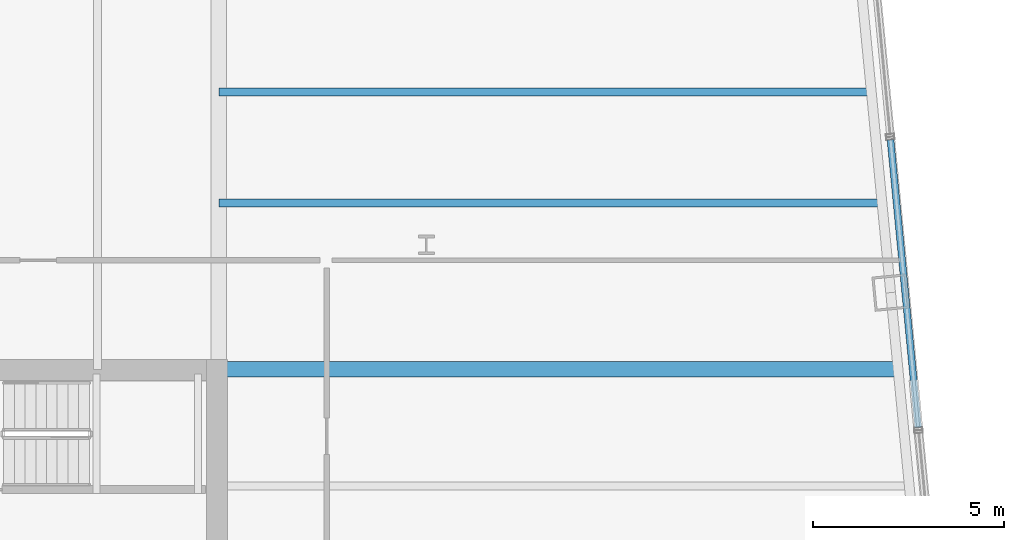
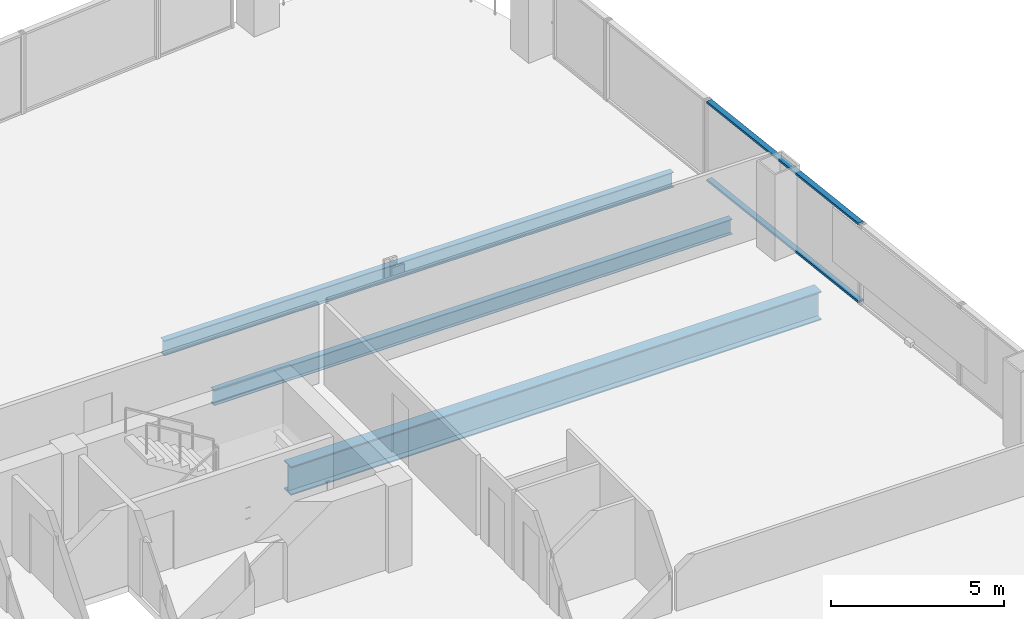
# One storey, part 18 of 27: 3 beams, 2 members, 1 element without a shape of its own.
"""IFC4 building model written with IfcOpenShell, lengths in metres."""

from ifc_helpers import new_model, si_unit, direction, frame, origin, origin_2d, place, context, subcontext, project, spatial, hollow_rectangle, i_section, extrude, material, layer, layer_set, material_profile, profile_set, type_object, element, aggregate, save


model = new_model("IFC4")

# Units and contexts
model_context = context("Model", 3, precision=1e-05, world=origin(), true_north=direction((0.0, 1.0)))
body_context = subcontext(model_context, "Body", "Model", "MODEL_VIEW")
ifc_project = project(units=[si_unit("LENGTHUNIT", "METRE"), si_unit("AREAUNIT", "SQUARE_METRE"), si_unit("VOLUMEUNIT", "CUBIC_METRE"), si_unit("PLANEANGLEUNIT", "RADIAN"), si_unit("MASSUNIT", "GRAM", prefix="KILO")], contexts=[model_context])

# Site, building, storey
site_placement = place(None, origin())
site = spatial("IfcSite", under=ifc_project, at=site_placement, CompositionType="ELEMENT")
building_placement = place(site_placement, origin())
building = spatial("IfcBuilding", under=site, at=building_placement, Name="Qhalaya Broadcast Tower", CompositionType="ELEMENT")
storey_placement = place(building_placement, frame((0.0, 0.0, 75.550048828125)))
storey = spatial("IfcBuildingStorey", under=building, at=storey_placement, Name="L21", CompositionType="ELEMENT", Elevation=75.550048828125)

# Beams
ifc_material_1 = material(Name="Structural Steel ASTM A992 Grade 50", Category="steel")
ifc_material_profile_1 = material_profile(ifc_material_1, i_section(OverallWidth=0.2099609375, OverallDepth=0.535888671875, WebThickness=0.010986328125, FlangeThickness=0.017333984375, at=origin_2d()), Name="W21X68")
ifc_profile_set_1 = profile_set([ifc_material_profile_1], Name="Structural Steel ASTM A992 Grade 50")
beam_type_1 = type_object("IfcBeamType", Name="Composite Floor Joist J02", PredefinedType="JOIST", material=ifc_profile_set_1)
beam_1_placement = place(storey_placement, frame((9.375, 14.300048828125, -0.488037109375), z_axis=(1.0, 0.0, 0.0), x_axis=(0.0, 1.0, 0.0)))
element("IfcBeam", 1, at=beam_1_placement, inside=storey, type_object=beam_type_1, Name="L21 J02 L21-JWE6E-1", PredefinedType="JOIST", context=body_context, shape_type="SweptSolid", body=[
    extrude(i_section(OverallWidth=0.2099609375, OverallDepth=0.535888671875, WebThickness=0.010986328125, FlangeThickness=0.017333984375, at=origin_2d()), origin(), (0.0, 0.0, 1.0), 17.3203125),
])
beam_2_placement = place(storey_placement, frame((9.375, 17.199951171875, -0.488037109375), z_axis=(1.0, 0.0, 0.0), x_axis=(0.0, 1.0, 0.0)))
element("IfcBeam", 2, at=beam_2_placement, inside=storey, type_object=beam_type_1, Name="L21 J02 L21-JWE7E-1", PredefinedType="JOIST", context=body_context, shape_type="SweptSolid", body=[
    extrude(i_section(OverallWidth=0.2099609375, OverallDepth=0.535888671875, WebThickness=0.010986328125, FlangeThickness=0.017333984375, at=origin_2d()), origin(), (0.0, 0.0, 1.0), 17.041015625),
])
ifc_material_profile_2 = material_profile(ifc_material_1, i_section(OverallWidth=0.40087890625, OverallDepth=1.010986328125, WebThickness=0.023681640625, FlangeThickness=0.0419921875, at=origin_2d()), Name="W40X297")
ifc_profile_set_2 = profile_set([ifc_material_profile_2], Name="Structural Steel ASTM A992 Grade 50")
beam_type_2 = type_object("IfcBeamType", Name="Lower Block Primary Girder PG2", PredefinedType="USERDEFINED", material=ifc_profile_set_2)
beam_3_placement = place(storey_placement, frame((9.375, 9.949951171875, -0.7255859375), z_axis=(1.0, 0.0, 0.0), x_axis=(0.0, 1.0, 0.0)))
element("IfcBeam", 3, at=beam_3_placement, inside=storey, type_object=beam_type_2, Name="L21 PG2 L21-PGYE4-1", ObjectType="GIRDER", PredefinedType="USERDEFINED", context=body_context, shape_type="SweptSolid", body=[
    extrude(i_section(OverallWidth=0.40087890625, OverallDepth=1.010986328125, WebThickness=0.023681640625, FlangeThickness=0.0419921875, at=origin_2d()), origin(), (0.0, 0.0, 1.0), 17.7392578125),
])

# Curtain wall, members
ifc_material_2 = material(Name="Fired Architectural Terracotta", Category="masonry")
ifc_layer = layer(ifc_material_2, 0.219970703125, Name="Fired Architectural Terracotta")
ifc_layer_set = layer_set([ifc_layer], Name="Fired Architectural Terracotta")
curtain_wall_type = type_object("IfcCurtainWallType", Name="Block-Cap Unitised Terracotta Spandrel Wall CW-07", PredefinedType="NOTDEFINED", material=ifc_layer_set)
curtain_wall_placement = place(storey_placement, origin())
curtain_wall = element("IfcCurtainWall", 4, at=curtain_wall_placement, inside=storey, type_object=curtain_wall_type, Name="L21 Unitised Curtain Wall L21-CW-E5", PredefinedType="NOTDEFINED")
ifc_material_3 = material(Name="Anodised Aluminium 6063-T6", Category="aluminium")
ifc_material_profile_3 = material_profile(ifc_material_3, hollow_rectangle(XDim=0.074951171875, YDim=0.179931640625, WallThickness=0.00390625, at=origin_2d()), Name="ALU-TRN 75x180x4")
ifc_profile_set_3 = profile_set([ifc_material_profile_3], Name="Anodised Aluminium 6063-T6")
member_type = type_object("IfcMemberType", Name="Unitised Curtain-Wall Transom T01", PredefinedType="USERDEFINED", material=ifc_profile_set_3)
member_1_placement = place(storey_placement, frame((27.66259765625, 8.428466796875, 0.037353515625), z_axis=(-0.095860723512, 0.995394756711, 0.0), x_axis=(0.0, 0.0, 1.0)))
member_1 = element("IfcMember", 5, at=member_1_placement, type_object=member_type, Name="CW-07 transom 1.1", ObjectType="TRANSOM", PredefinedType="USERDEFINED", context=body_context, shape_type="SweptSolid", body=[
    extrude(hollow_rectangle(XDim=0.074951171875, YDim=0.179931640625, WallThickness=0.00390625, at=origin_2d()), origin(), (0.0, 0.0, 1.0), 7.55908203125),
])
member_2_placement = place(storey_placement, frame((27.66259765625, 8.428466796875, 2.79248046875), z_axis=(-0.095860723512, 0.995394756711, 0.0), x_axis=(0.0, 0.0, 1.0)))
member_2 = element("IfcMember", 6, at=member_2_placement, type_object=member_type, Name="CW-07 transom 1.2", ObjectType="TRANSOM", PredefinedType="USERDEFINED", context=body_context, shape_type="SweptSolid", body=[
    extrude(hollow_rectangle(XDim=0.074951171875, YDim=0.179931640625, WallThickness=0.00390625, at=origin_2d()), origin(), (0.0, 0.0, 1.0), 7.55908203125),
])
aggregate(curtain_wall, [member_1, member_2])

save(model, "model.ifc")
